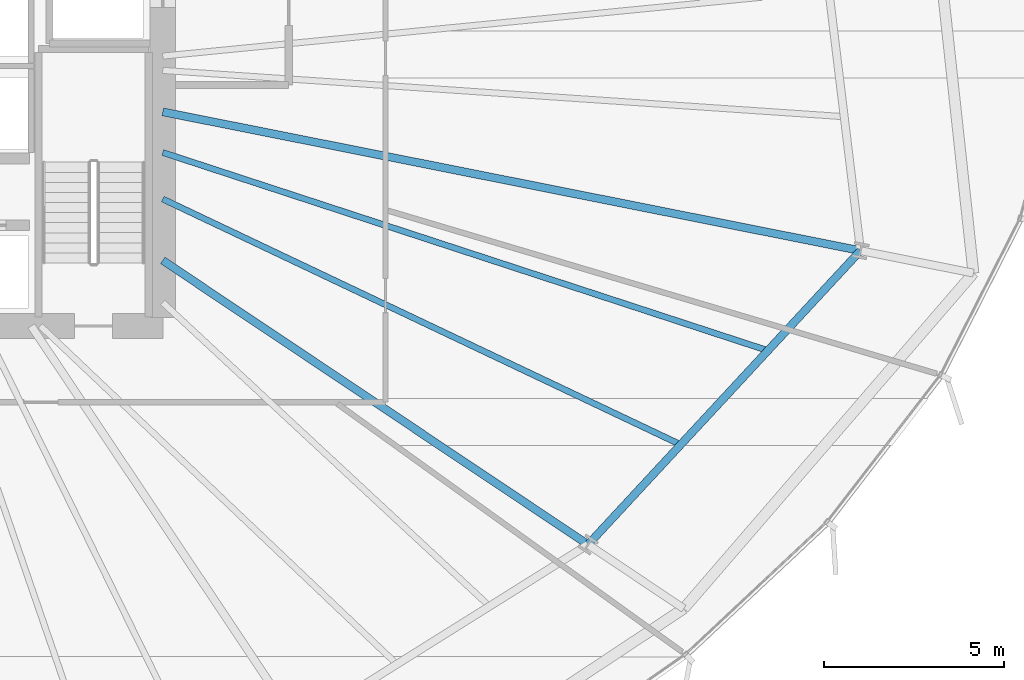
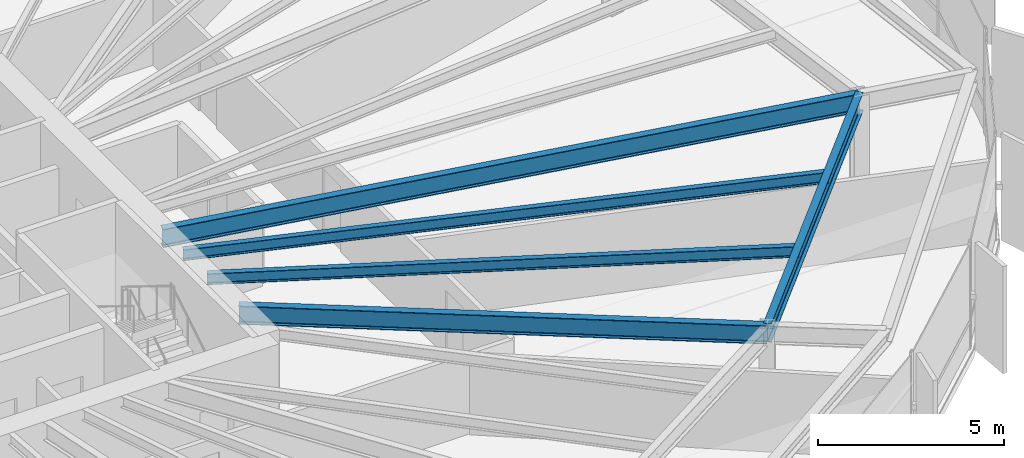
# One storey, part 15 of 37: 5 beams.
"""IFC4 building model written with IfcOpenShell, lengths in metres."""

from ifc_helpers import new_model, si_unit, direction, frame, origin, origin_2d, place, context, subcontext, project, spatial, i_section, extrude, source, transform, mapped, material, material_profile, profile_set, type_object, element, save


model = new_model("IFC4")

# Units and contexts
model_context = context("Model", 3, precision=1e-05, world=origin(), true_north=direction((0.0, 1.0)))
body_context = subcontext(model_context, "Body", "Model", "MODEL_VIEW")
ifc_project = project(units=[si_unit("LENGTHUNIT", "METRE"), si_unit("AREAUNIT", "SQUARE_METRE"), si_unit("VOLUMEUNIT", "CUBIC_METRE"), si_unit("PLANEANGLEUNIT", "RADIAN"), si_unit("MASSUNIT", "GRAM", prefix="KILO"), si_unit("THERMODYNAMICTEMPERATUREUNIT", "KELVIN")], contexts=[model_context])

# Site, building, storey
site_placement = place(None, origin())
site = spatial("IfcSite", under=ifc_project, at=site_placement, CompositionType="ELEMENT")
building_placement = place(site_placement, origin())
building = spatial("IfcBuilding", under=site, at=building_placement, Name="Kethvar Cultural Tower", CompositionType="ELEMENT")
storey_placement = place(building_placement, frame((0.0, 0.0, 60.0)))
storey = spatial("IfcBuildingStorey", under=building, at=storey_placement, Name="L14", CompositionType="ELEMENT", Elevation=60.0)

# Beams
ifc_material = material(Name="Steel S355J2", Category="steel")
ifc_material_profile_1 = material_profile(ifc_material, i_section(OverallWidth=0.219970703125, OverallDepth=0.60009765625, WebThickness=0.011962890625, FlangeThickness=0.01904296875, FilletRadius=0.02392578125, at=origin_2d()), Name="Steel S355J2 — IPE600")
ifc_profile_set_1 = profile_set([ifc_material_profile_1], Name="Steel S355J2 — IPE600")
beam_type_1 = type_object("IfcBeamType", Name="BM-IPE600", PredefinedType="BEAM", material=ifc_profile_set_1)
shared_shape_1 = source(origin(), body_context, "Body", "SweptSolid", [
    extrude(i_section(OverallWidth=0.219970703125, OverallDepth=0.60009765625, WebThickness=0.011962890625, FlangeThickness=0.01904296875, FilletRadius=0.02392578125, at=origin_2d()), origin(), (0.0, 0.0, 1.0), 14.2138671875),
])
beam_1_placement = place(storey_placement, frame((55.60009765625, 21.920166015625, 3.248046875), z_axis=(0.831463197362, -0.555579833537, 0.0), x_axis=(0.555579833537, 0.831463197362, 0.0)))
element("IfcBeam", 1, at=beam_1_placement, inside=storey, type_object=beam_type_1, Name="L14 Primary Radial Beam RB-15", PredefinedType="BEAM", context=body_context, shape_type="MappedRepresentation", body=[
    mapped(shared_shape_1, transform((0.0, 0.0, 0.0), scale=1.0)),
])
shared_shape_2 = source(origin(), body_context, "Body", "SweptSolid", [
    extrude(i_section(OverallWidth=0.219970703125, OverallDepth=0.60009765625, WebThickness=0.011962890625, FlangeThickness=0.01904296875, FilletRadius=0.02392578125, at=origin_2d()), origin(), (0.0, 0.0, 1.0), 19.77099609375),
])
beam_2_placement = place(storey_placement, frame((55.60009765625, 26.049560546875, 3.248046875), z_axis=(0.980784840197, -0.195092535068, 0.0), x_axis=(0.195092535068, 0.980784840197, 0.0)))
element("IfcBeam", 2, at=beam_2_placement, inside=storey, type_object=beam_type_1, Name="L14 Primary Radial Beam RB-16", PredefinedType="BEAM", context=body_context, shape_type="MappedRepresentation", body=[
    mapped(shared_shape_2, transform((0.0, 0.0, 0.0), scale=1.0)),
])
shared_shape_3 = source(origin(), body_context, "Body", "SweptSolid", [
    extrude(i_section(OverallWidth=0.219970703125, OverallDepth=0.60009765625, WebThickness=0.011962890625, FlangeThickness=0.01904296875, FilletRadius=0.02392578125, at=origin_2d()), origin(), (0.0, 0.0, 1.0), 11.13916015625),
])
beam_3_placement = place(storey_placement, frame((67.41845703125, 14.023193359375, 3.248046875), z_axis=(0.679827924457, 0.73337166098, 0.0), x_axis=(-0.73337166098, 0.679827924457, 0.0)))
element("IfcBeam", 3, at=beam_3_placement, inside=storey, type_object=beam_type_1, Name="L14 Column Ring Tie Beam CR-15", PredefinedType="BEAM", context=body_context, shape_type="MappedRepresentation", body=[
    mapped(shared_shape_3, transform((0.0, 0.0, 0.0), scale=1.0)),
])
ifc_material_profile_2 = material_profile(ifc_material, i_section(OverallWidth=0.169921875, OverallDepth=0.360107421875, WebThickness=0.008056640625, FlangeThickness=0.0126953125, FilletRadius=0.01806640625, at=origin_2d()), Name="Steel S355J2 — IPE360")
ifc_profile_set_2 = profile_set([ifc_material_profile_2], Name="Steel S355J2 — IPE360")
beam_type_2 = type_object("IfcBeamType", Name="BM-J360", PredefinedType="JOIST", material=ifc_profile_set_2)
shared_shape_4 = source(origin(), body_context, "Body", "SweptSolid", [
    extrude(i_section(OverallWidth=0.169921875, OverallDepth=0.360107421875, WebThickness=0.008056640625, FlangeThickness=0.0126953125, FilletRadius=0.01806640625, at=origin_2d()), origin(), (0.0, 0.0, 1.0), 15.9296875),
])
beam_4_placement = place(storey_placement, frame((55.60009765625, 23.626708984375, 3.367919921875), z_axis=(0.903539576646, -0.428504648089, 0.0), x_axis=(0.428504648089, 0.903539576646, 0.0)))
element("IfcBeam", 4, at=beam_4_placement, inside=storey, type_object=beam_type_2, Name="L14 Composite Floor Joist J-15A", PredefinedType="JOIST", context=body_context, shape_type="MappedRepresentation", body=[
    mapped(shared_shape_4, transform((0.0, 0.0, 0.0), scale=1.0)),
])
shared_shape_5 = source(origin(), body_context, "Body", "SweptSolid", [
    extrude(i_section(OverallWidth=0.169921875, OverallDepth=0.360107421875, WebThickness=0.008056640625, FlangeThickness=0.0126953125, FilletRadius=0.01806640625, at=origin_2d()), origin(), (0.0, 0.0, 1.0), 17.6943359375),
])
beam_5_placement = place(storey_placement, frame((55.60009765625, 24.91943359375, 3.367919921875), z_axis=(0.950378958587, -0.311094575773, 0.0), x_axis=(0.311094575773, 0.950378958587, 0.0)))
element("IfcBeam", 5, at=beam_5_placement, inside=storey, type_object=beam_type_2, Name="L14 Composite Floor Joist J-15B", PredefinedType="JOIST", context=body_context, shape_type="MappedRepresentation", body=[
    mapped(shared_shape_5, transform((0.0, 0.0, 0.0), scale=1.0)),
])

save(model, "model.ifc")
